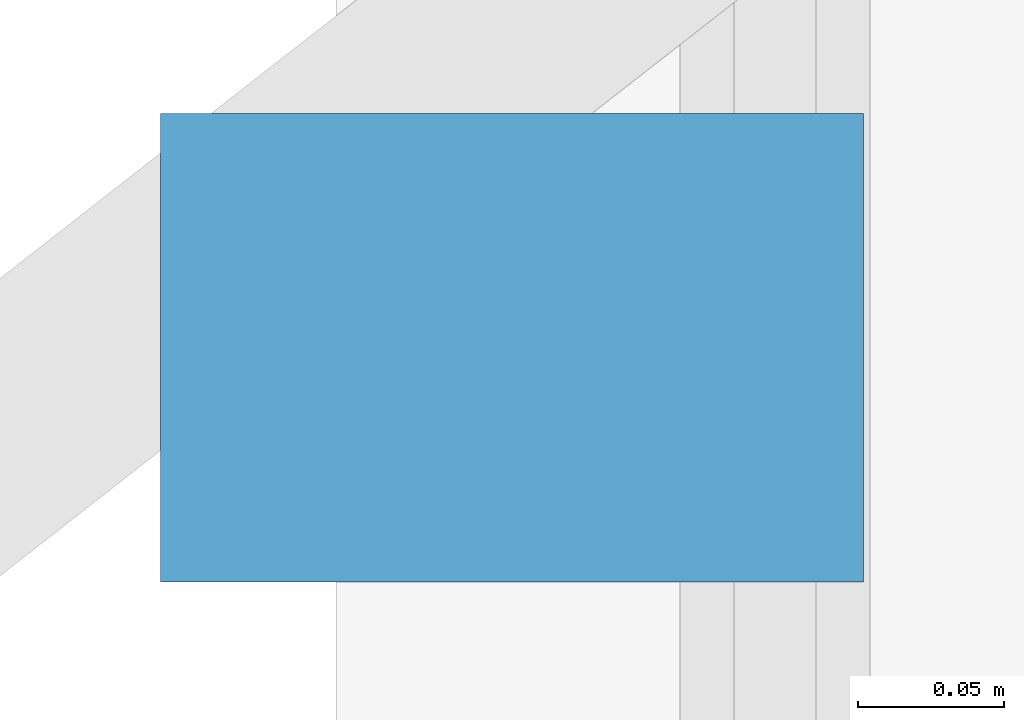
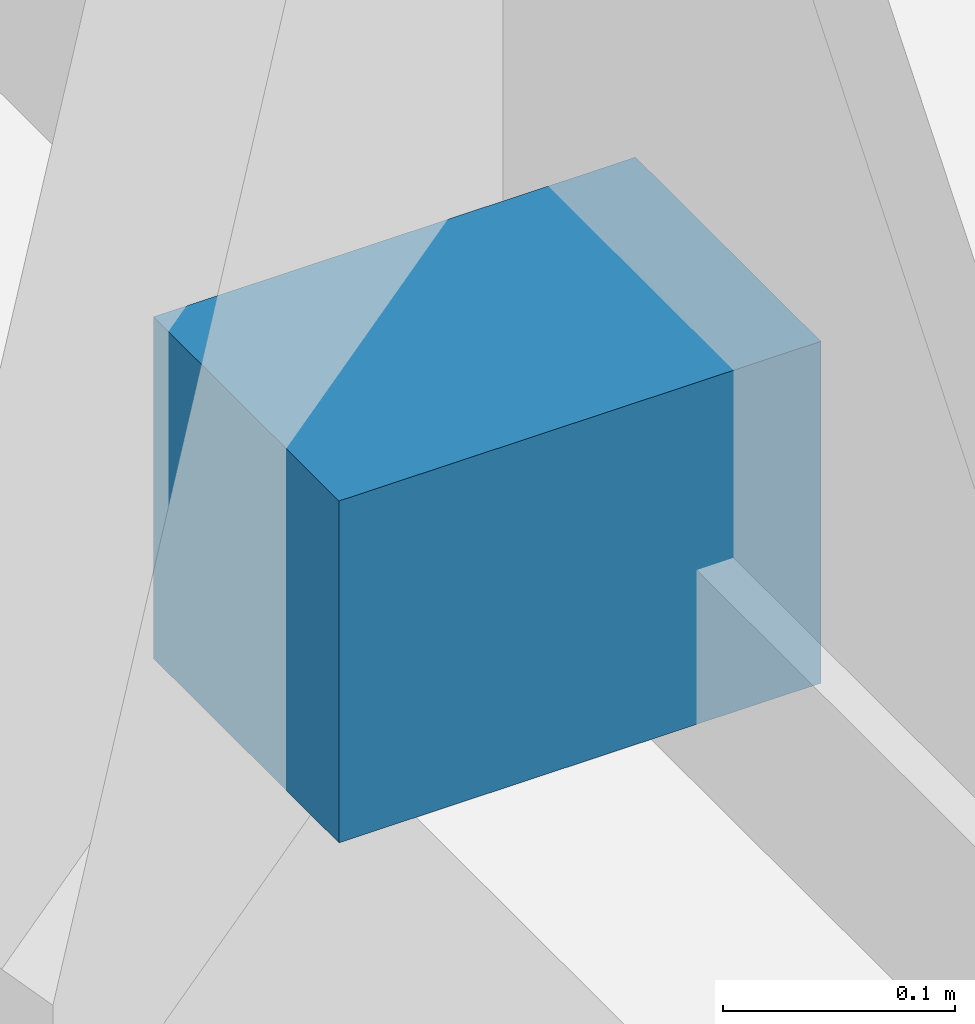
# One storey, part 27 of 29: 1 discrete accessory.
"""IFC4 building model written with IfcOpenShell, lengths in metres."""

from ifc_helpers import new_model, si_unit, direction, frame, origin, origin_2d, place, context, subcontext, project, spatial, rectangle, extrude, material, type_object, element, save


model = new_model("IFC4")

# Units and contexts
model_context = context("Model", 3, precision=1e-05, world=origin(), true_north=direction((0.0, 1.0)))
body_context = subcontext(model_context, "Body", "Model", "MODEL_VIEW")
ifc_project = project(units=[si_unit("LENGTHUNIT", "METRE"), si_unit("AREAUNIT", "SQUARE_METRE"), si_unit("VOLUMEUNIT", "CUBIC_METRE"), si_unit("PLANEANGLEUNIT", "RADIAN"), si_unit("MASSUNIT", "GRAM", prefix="KILO")], contexts=[model_context])

# Site, building, storey
site_placement = place(None, origin())
site = spatial("IfcSite", under=ifc_project, at=site_placement, CompositionType="ELEMENT")
building_placement = place(site_placement, origin())
building = spatial("IfcBuilding", under=site, at=building_placement, Name="Calvorn Quay Hotel", CompositionType="ELEMENT")
storey_placement = place(building_placement, frame((0.0, 0.0, 66.0)))
storey = spatial("IfcBuildingStorey", under=building, at=storey_placement, Name="L15", CompositionType="ELEMENT", Elevation=66.0)

# Discrete accessory
ifc_material = material(Name="Steel Q355B", Category="steel")
discrete_accessory_type = type_object("IfcDiscreteAccessoryType", Name="ACC-FIN-BRACKET", PredefinedType="BRACKET", material=ifc_material)
discrete_accessory_placement = place(storey_placement, frame((0.06005859375, 37.25, 0.0302734375), z_axis=(0.0, 0.0, 1.0), x_axis=(1.0, 0.0, 0.0)))
element("IfcDiscreteAccessory", 1, at=discrete_accessory_placement, inside=storey, type_object=discrete_accessory_type, Name="Fin Anchor Bracket L15-W03", PredefinedType="BRACKET", context=body_context, shape_type="SweptSolid", body=[
    extrude(rectangle(XDim=0.239990234375, YDim=0.159912109375, at=origin_2d()), origin(), (0.0, 0.0, 1.0), 0.179931640625),
])

save(model, "model.ifc")
